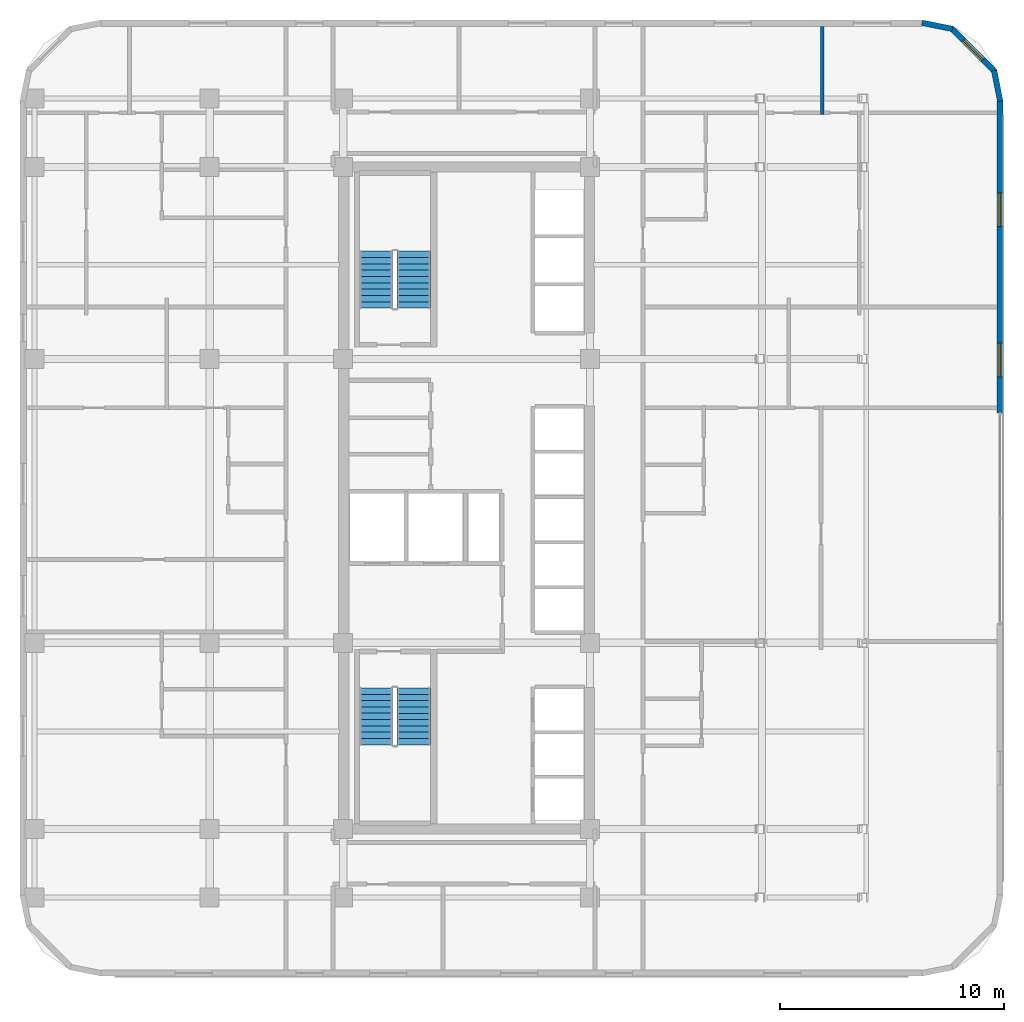
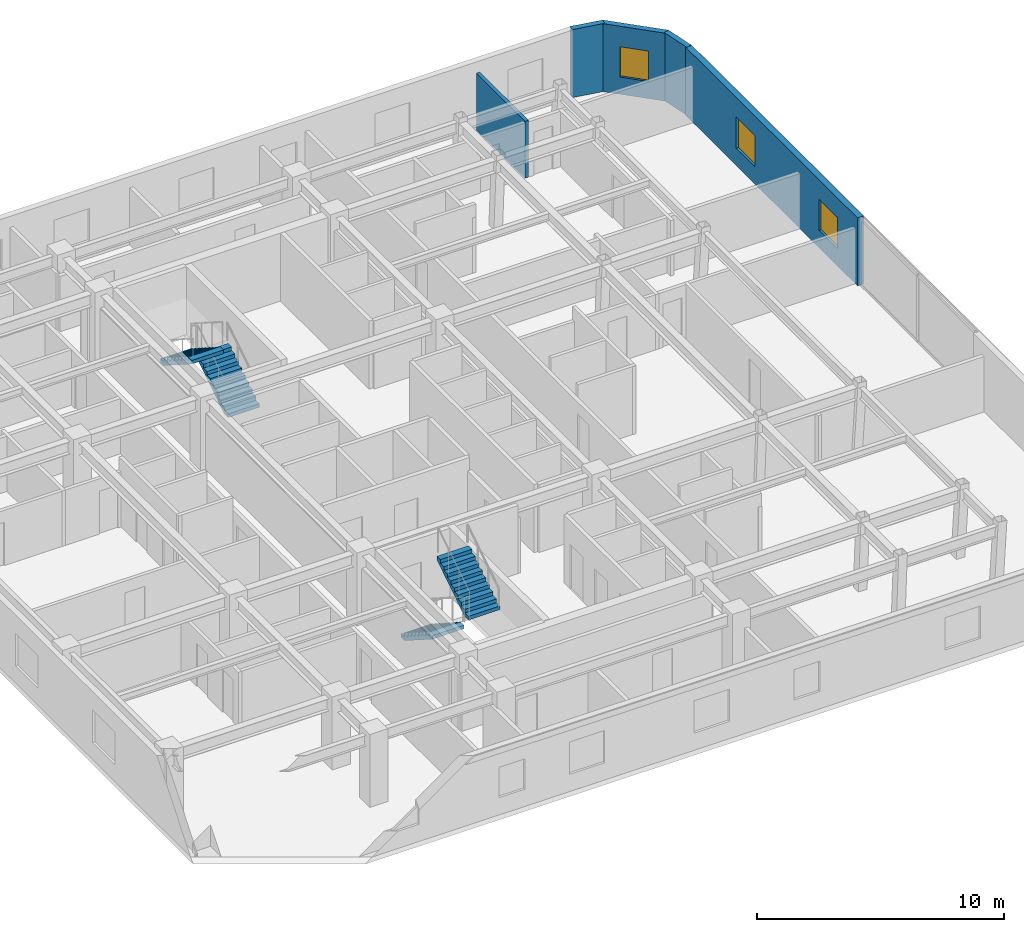
# One storey, part 8 of 12: 5 walls, 4 stair flights, 3 windows, 3 openings, 2 elements without a shape of their own.
"""IFC4 building model written with IfcOpenShell, lengths in metres."""

from ifc_helpers import new_model, si_unit, direction, frame, frame_2d, origin, place, context, subcontext, project, spatial, polyline, rectangle, outline, extrude, material, layer, layer_set, type_object, element, fill, aggregate, save


model = new_model("IFC4")

# Units and contexts
model_context = context("Model", 3, precision=1e-05, world=origin(), true_north=direction((0.0, 1.0)))
body_context = subcontext(model_context, "Body", "Model", "MODEL_VIEW")
ifc_project = project(units=[si_unit("LENGTHUNIT", "METRE"), si_unit("AREAUNIT", "SQUARE_METRE"), si_unit("VOLUMEUNIT", "CUBIC_METRE"), si_unit("PLANEANGLEUNIT", "RADIAN"), si_unit("MASSUNIT", "GRAM", prefix="KILO")], contexts=[model_context])

# Site, building, storey
site_placement = place(None, origin())
site = spatial("IfcSite", under=ifc_project, at=site_placement, CompositionType="ELEMENT")
building_placement = place(site_placement, origin())
building = spatial("IfcBuilding", under=site, at=building_placement, Name="Ochreholt Gables", CompositionType="ELEMENT")
storey_placement = place(building_placement, frame((0.0, 0.0, 80.39990234375)))
storey = spatial("IfcBuildingStorey", under=building, at=storey_placement, Name="L20", CompositionType="ELEMENT", Elevation=80.39990234375)

# Wall, openings, windows
ifc_material_1 = material(Name="Precast concrete 40 MPa", Category="concrete")
ifc_layer_1 = layer(ifc_material_1, 0.280029296875, Name="Precast concrete 40 MPa")
ifc_layer_set_1 = layer_set([ifc_layer_1], Name="Precast concrete 40 MPa")
wall_type_1 = type_object("IfcWallType", Name="WALL-EXT-280", PredefinedType="SOLIDWALL", material=ifc_layer_set_1)
wall_1_placement = place(storey_placement, frame((53.4599609375, 27.780029296875, 0.0), z_axis=(0.0, 0.0, 1.0), x_axis=(0.0, 1.0, 0.0)))
wall_1 = element("IfcWall", 1, at=wall_1_placement, inside=storey, type_object=wall_type_1, Name="L20 East Facade Wall 2", PredefinedType="SOLIDWALL", context=body_context, shape_type="SweptSolid", body=[
    extrude(rectangle(XDim=13.89990234375, YDim=0.280029296875, at=frame_2d((6.949951171875, 0.0))), origin(), (0.0, 0.0, 1.0), 3.360107421875),
])
opening_1_placement = place(wall_1_placement, frame((1.6201171875, 0.0, 0.85009765625)))
opening_1 = element("IfcOpeningElement", 2, at=opening_1_placement, cuts=wall_1, Name="Opening WN-2", PredefinedType="OPENING", context=body_context, shape_type="SweptSolid", body=[
    extrude(rectangle(XDim=1.5, YDim=1.550048828125, at=frame_2d((0.75, 0.77490234375))), frame((0.0, 0.14990234375, 0.0), z_axis=(0.0, -1.0, 0.0), x_axis=(1.0, 0.0, 0.0)), (0.0, 0.0, 1.0), 0.300048828125),
])
opening_2_placement = place(wall_1_placement, frame((8.31005859375, 0.0, 0.85009765625)))
opening_2 = element("IfcOpeningElement", 3, at=opening_2_placement, cuts=wall_1, Name="Opening WN-2", PredefinedType="OPENING", context=body_context, shape_type="SweptSolid", body=[
    extrude(rectangle(XDim=1.5, YDim=1.550048828125, at=frame_2d((0.75, 0.77490234375))), frame((0.0, 0.14990234375, 0.0), z_axis=(0.0, -1.0, 0.0), x_axis=(1.0, 0.0, 0.0)), (0.0, 0.0, 1.0), 0.300048828125),
])
ifc_material_2 = material(Name="Triple-Glazed Thermally Broken Aluminium Window", Category="aluminium")
window_type_1 = type_object("IfcWindowType", Name="WIN-RES-1500", PartitioningType="SINGLE_PANEL", PredefinedType="WINDOW", material=ifc_material_2)
window_1_placement = place(opening_1_placement, origin())
window_1 = element("IfcWindow", 4, at=window_1_placement, inside=storey, type_object=window_type_1, Name="L20 Window W-EXT-E2-L20-1", OverallHeight=1.550048828125, OverallWidth=1.5, PartitioningType="SINGLE_PANEL", PredefinedType="WINDOW", context=body_context, shape_type="SweptSolid", body=[
    extrude(rectangle(XDim=1.5, YDim=1.550048828125, at=frame_2d((0.75, 0.77490234375))), frame((0.0, 0.030029296875, 0.0), z_axis=(0.0, -1.0, 0.0), x_axis=(1.0, 0.0, 0.0)), (0.0, 0.0, 1.0), 0.06005859375),
])
fill(opening_1, window_1)
window_2_placement = place(opening_2_placement, origin())
window_2 = element("IfcWindow", 5, at=window_2_placement, inside=storey, type_object=window_type_1, Name="L20 Window W-EXT-E2-L20-2", OverallHeight=1.550048828125, OverallWidth=1.5, PartitioningType="SINGLE_PANEL", PredefinedType="WINDOW", context=body_context, shape_type="SweptSolid", body=[
    extrude(rectangle(XDim=1.5, YDim=1.550048828125, at=frame_2d((0.75, 0.77490234375))), frame((0.0, 0.030029296875, 0.0), z_axis=(0.0, -1.0, 0.0), x_axis=(1.0, 0.0, 0.0)), (0.0, 0.0, 1.0), 0.06005859375),
])
fill(opening_2, window_2)

# Wall
ifc_layer_2 = layer(ifc_material_1, 0.25, Name="Precast concrete 40 MPa")
ifc_layer_set_2 = layer_set([ifc_layer_2], Name="Precast concrete 40 MPa")
wall_type_2 = type_object("IfcWallType", Name="WALL-EXT-CNR", PredefinedType="SOLIDWALL", material=ifc_layer_set_2)
wall_2_placement = place(storey_placement, frame((53.475830078125, 41.68359375, 0.0), z_axis=(0.0, 0.0, 1.0), x_axis=(-0.195000137217, 0.980803214965, 0.0)))
element("IfcWall", 6, at=wall_2_placement, inside=storey, type_object=wall_type_2, Name="L20 Rounded Corner Wall NE-1", PredefinedType="SOLIDWALL", context=body_context, shape_type="SweptSolid", body=[
    extrude(rectangle(XDim=1.388427734375, YDim=0.25, at=frame_2d((0.6943359375, 0.0))), origin(), (0.0, 0.0, 1.0), 3.360107421875),
])

# Wall, opening, window
wall_3_placement = place(storey_placement, frame((53.23193359375, 42.9951171875, 0.0), z_axis=(0.0, 0.0, 1.0), x_axis=(-0.707151344399, 0.707062215165, 0.0)))
wall_3 = element("IfcWall", 7, at=wall_3_placement, inside=storey, type_object=wall_type_2, Name="L20 Rounded Corner Wall NE-2", PredefinedType="SOLIDWALL", context=body_context, shape_type="SweptSolid", body=[
    extrude(rectangle(XDim=2.7392578125, YDim=0.25, at=frame_2d((1.36962890625, 0.0))), origin(), (0.0, 0.0, 1.0), 3.360107421875),
])
opening_3_placement = place(wall_3_placement, frame((0.769775390625, 0.0, 0.85009765625)))
opening_3 = element("IfcOpeningElement", 8, at=opening_3_placement, cuts=wall_3, Name="Opening WN-3", PredefinedType="OPENING", context=body_context, shape_type="SweptSolid", body=[
    extrude(rectangle(XDim=1.199951171875, YDim=1.5, at=frame_2d((0.60009765625, 0.75))), frame((0.0, 0.135009765625, 0.0), z_axis=(0.0, -1.0, 0.0), x_axis=(1.0, 0.0, 0.0)), (0.0, 0.0, 1.0), 0.27001953125),
])
window_type_2 = type_object("IfcWindowType", Name="WIN-RES-1200", PartitioningType="SINGLE_PANEL", PredefinedType="WINDOW", material=ifc_material_2)
window_3_placement = place(opening_3_placement, origin())
window_3 = element("IfcWindow", 9, at=window_3_placement, inside=storey, type_object=window_type_2, Name="L20 Corner Bedroom Window NE", OverallHeight=1.5, OverallWidth=1.199951171875, PartitioningType="SINGLE_PANEL", PredefinedType="WINDOW", context=body_context, shape_type="SweptSolid", body=[
    extrude(rectangle(XDim=1.199951171875, YDim=1.5, at=frame_2d((0.60009765625, 0.75))), frame((0.0, 0.030029296875, 0.0), z_axis=(0.0, -1.0, 0.0), x_axis=(1.0, 0.0, 0.0)), (0.0, 0.0, 1.0), 0.06005859375),
])
fill(opening_3, window_3)

# Walls
wall_4_placement = place(storey_placement, frame((51.345458984375, 44.905029296875, 0.0), z_axis=(0.0, 0.0, 1.0), x_axis=(-0.980809899341, 0.19496651342, 0.0)))
element("IfcWall", 10, at=wall_4_placement, inside=storey, type_object=wall_type_2, Name="L20 Rounded Corner Wall NE-3", PredefinedType="SOLIDWALL", context=body_context, shape_type="SweptSolid", body=[
    extrude(rectangle(XDim=1.388671875, YDim=0.25, at=frame_2d((0.6943359375, 0.0))), origin(), (0.0, 0.0, 1.0), 3.360107421875),
])
ifc_material_3 = material(Name="Gypsum Acoustic Stud Partition", Category="gypsum")
ifc_layer_3 = layer(ifc_material_3, 0.159912109375, Name="Gypsum Acoustic Stud Partition")
ifc_layer_set_3 = layer_set([ifc_layer_3], Name="Gypsum Acoustic Stud Partition")
wall_type_3 = type_object("IfcWallType", Name="WALL-INT-PT160", PredefinedType="PARTITIONING", material=ifc_layer_set_3)
wall_5_placement = place(storey_placement, frame((45.544921875, 41.080078125, 0.0), z_axis=(0.0, 0.0, 1.0), x_axis=(0.0, 1.0, 0.0)))
element("IfcWall", 11, at=wall_5_placement, inside=storey, type_object=wall_type_3, Name="L20 Interior Wall WU-L20E3-BSD", PredefinedType="PARTITIONING", context=body_context, shape_type="SweptSolid", body=[
    extrude(rectangle(XDim=3.93994140625, YDim=0.159912109375, at=frame_2d((1.969970703125, 0.0))), origin(), (0.0, 0.0, 1.0), 2.80908203125),
])

# Stair, stair flights
ifc_material_4 = material(Name="Concrete 40 MPa", Category="concrete")
stair_type_1 = type_object("IfcStairType", Name="STAIR-CORE-ST-1", PredefinedType="HALF_TURN_STAIR", material=ifc_material_4)
stair_1_placement = place(storey_placement, origin())
stair_1 = element("IfcStair", 12, at=stair_1_placement, inside=storey, type_object=stair_type_1, Name="L20 Core Exit Stair 1", PredefinedType="HALF_TURN_STAIR")
stair_flight_type = type_object("IfcStairFlightType", Name="FLIGHT-ST-1480-1800", PredefinedType="STRAIGHT", material=ifc_material_4)
stair_flight_1_placement = place(storey_placement, frame((25.659912109375, 15.5400390625, 0.0), z_axis=(0.0, 0.0, 1.0), x_axis=(0.0, -1.0, 0.0)))
stair_flight_1 = element("IfcStairFlight", 13, at=stair_flight_1_placement, type_object=stair_flight_type, Name="ST-1 flight 1", NumberOfRisers=10, NumberOfTreads=9, PredefinedType="STRAIGHT", RiserHeight=0.18, TreadLength=0.282, context=body_context, shape_type="SweptSolid", body=[
    extrude(outline(polyline([(0.0, 0.0), (0.0, 0.179931640625), (0.281982421875, 0.179931640625), (0.281982421875, 0.360107421875), (0.56396484375, 0.360107421875), (0.56396484375, 0.5400390625), (0.845947265625, 0.5400390625), (0.845947265625, 0.719970703125), (1.1279296875, 0.719970703125), (1.1279296875, 0.89990234375), (1.409912109375, 0.89990234375), (1.409912109375, 1.080078125), (1.69189453125, 1.080078125), (1.69189453125, 1.260009765625), (1.97412109375, 1.260009765625), (1.97412109375, 1.43994140625), (2.256103515625, 1.43994140625), (2.256103515625, 1.6201171875), (2.5380859375, 1.6201171875), (2.5380859375, 1.800048828125), (2.5380859375, 1.442138671875), (0.278564453125, 0.0), (0.0, 0.0)])), frame((0.0, 0.739990234375, 0.0), z_axis=(0.0, -1.0, 0.0), x_axis=(1.0, 0.0, 0.0)), (0.0, 0.0, 1.0), 1.47998046875),
])
stair_flight_2_placement = place(storey_placement, frame((27.340087890625, 13.001953125, 1.800048828125), z_axis=(0.0, 0.0, 1.0), x_axis=(0.0, 1.0, 0.0)))
stair_flight_2 = element("IfcStairFlight", 14, at=stair_flight_2_placement, type_object=stair_flight_type, Name="ST-1 flight 2", NumberOfRisers=10, NumberOfTreads=9, PredefinedType="STRAIGHT", RiserHeight=0.18, TreadLength=0.282, context=body_context, shape_type="SweptSolid", body=[
    extrude(outline(polyline([(0.0, 0.0), (0.0, 0.179931640625), (0.281982421875, 0.179931640625), (0.281982421875, 0.360107421875), (0.56396484375, 0.360107421875), (0.56396484375, 0.5400390625), (0.845947265625, 0.5400390625), (0.845947265625, 0.719970703125), (1.1279296875, 0.719970703125), (1.1279296875, 0.89990234375), (1.409912109375, 0.89990234375), (1.409912109375, 1.080078125), (1.69189453125, 1.080078125), (1.69189453125, 1.260009765625), (1.97412109375, 1.260009765625), (1.97412109375, 1.43994140625), (2.256103515625, 1.43994140625), (2.256103515625, 1.6201171875), (2.5380859375, 1.6201171875), (2.5380859375, 1.800048828125), (2.5380859375, 1.442138671875), (0.278564453125, 0.0), (0.0, 0.0)])), frame((0.0, 0.739990234375, 0.0), z_axis=(0.0, -1.0, 0.0), x_axis=(1.0, 0.0, 0.0)), (0.0, 0.0, 1.0), 1.47998046875),
])
aggregate(stair_1, [stair_flight_1, stair_flight_2])

stair_type_2 = type_object("IfcStairType", Name="STAIR-CORE-ST-2", PredefinedType="HALF_TURN_STAIR", material=ifc_material_4)
stair_2_placement = place(storey_placement, origin())
stair_2 = element("IfcStair", 15, at=stair_2_placement, inside=storey, type_object=stair_type_2, Name="L20 Core Exit Stair 2", PredefinedType="HALF_TURN_STAIR")
stair_flight_3_placement = place(storey_placement, frame((27.340087890625, 32.4599609375, 0.0), z_axis=(0.0, 0.0, 1.0), x_axis=(0.0, 1.0, 0.0)))
stair_flight_3 = element("IfcStairFlight", 16, at=stair_flight_3_placement, type_object=stair_flight_type, Name="ST-2 flight 1", NumberOfRisers=10, NumberOfTreads=9, PredefinedType="STRAIGHT", RiserHeight=0.18, TreadLength=0.282, context=body_context, shape_type="SweptSolid", body=[
    extrude(outline(polyline([(0.0, 0.0), (0.0, 0.179931640625), (0.281982421875, 0.179931640625), (0.281982421875, 0.360107421875), (0.56396484375, 0.360107421875), (0.56396484375, 0.5400390625), (0.845947265625, 0.5400390625), (0.845947265625, 0.719970703125), (1.1279296875, 0.719970703125), (1.1279296875, 0.89990234375), (1.409912109375, 0.89990234375), (1.409912109375, 1.080078125), (1.69189453125, 1.080078125), (1.69189453125, 1.260009765625), (1.97412109375, 1.260009765625), (1.97412109375, 1.43994140625), (2.256103515625, 1.43994140625), (2.256103515625, 1.6201171875), (2.5380859375, 1.6201171875), (2.5380859375, 1.800048828125), (2.5380859375, 1.442138671875), (0.278564453125, 0.0), (0.0, 0.0)])), frame((0.0, 0.739990234375, 0.0), z_axis=(0.0, -1.0, 0.0), x_axis=(1.0, 0.0, 0.0)), (0.0, 0.0, 1.0), 1.47998046875),
])
stair_flight_4_placement = place(storey_placement, frame((25.659912109375, 34.998046875, 1.800048828125), z_axis=(0.0, 0.0, 1.0), x_axis=(0.0, -1.0, 0.0)))
stair_flight_4 = element("IfcStairFlight", 17, at=stair_flight_4_placement, type_object=stair_flight_type, Name="ST-2 flight 2", NumberOfRisers=10, NumberOfTreads=9, PredefinedType="STRAIGHT", RiserHeight=0.18, TreadLength=0.282, context=body_context, shape_type="SweptSolid", body=[
    extrude(outline(polyline([(0.0, 0.0), (0.0, 0.179931640625), (0.281982421875, 0.179931640625), (0.281982421875, 0.360107421875), (0.56396484375, 0.360107421875), (0.56396484375, 0.5400390625), (0.845947265625, 0.5400390625), (0.845947265625, 0.719970703125), (1.1279296875, 0.719970703125), (1.1279296875, 0.89990234375), (1.409912109375, 0.89990234375), (1.409912109375, 1.080078125), (1.69189453125, 1.080078125), (1.69189453125, 1.260009765625), (1.97412109375, 1.260009765625), (1.97412109375, 1.43994140625), (2.256103515625, 1.43994140625), (2.256103515625, 1.6201171875), (2.5380859375, 1.6201171875), (2.5380859375, 1.800048828125), (2.5380859375, 1.442138671875), (0.278564453125, 0.0), (0.0, 0.0)])), frame((0.0, 0.739990234375, 0.0), z_axis=(0.0, -1.0, 0.0), x_axis=(1.0, 0.0, 0.0)), (0.0, 0.0, 1.0), 1.47998046875),
])
aggregate(stair_2, [stair_flight_3, stair_flight_4])

save(model, "model.ifc")
